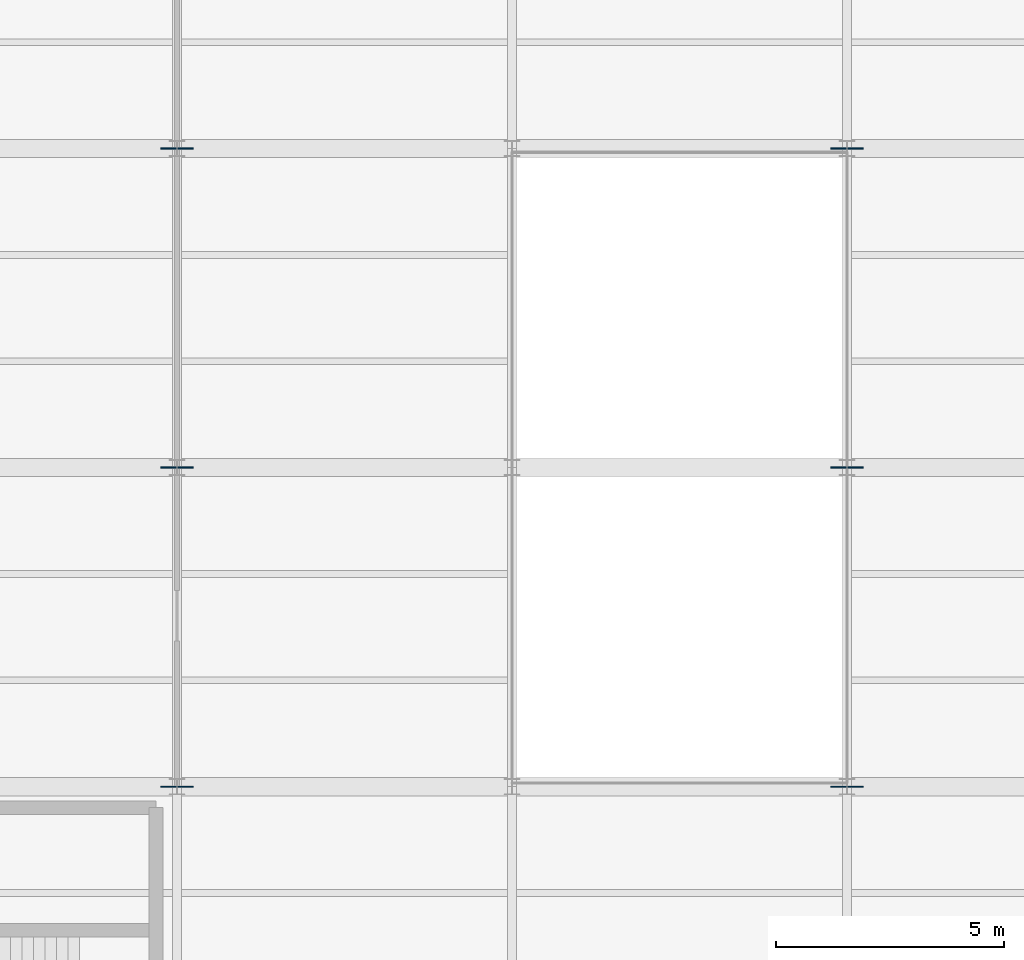
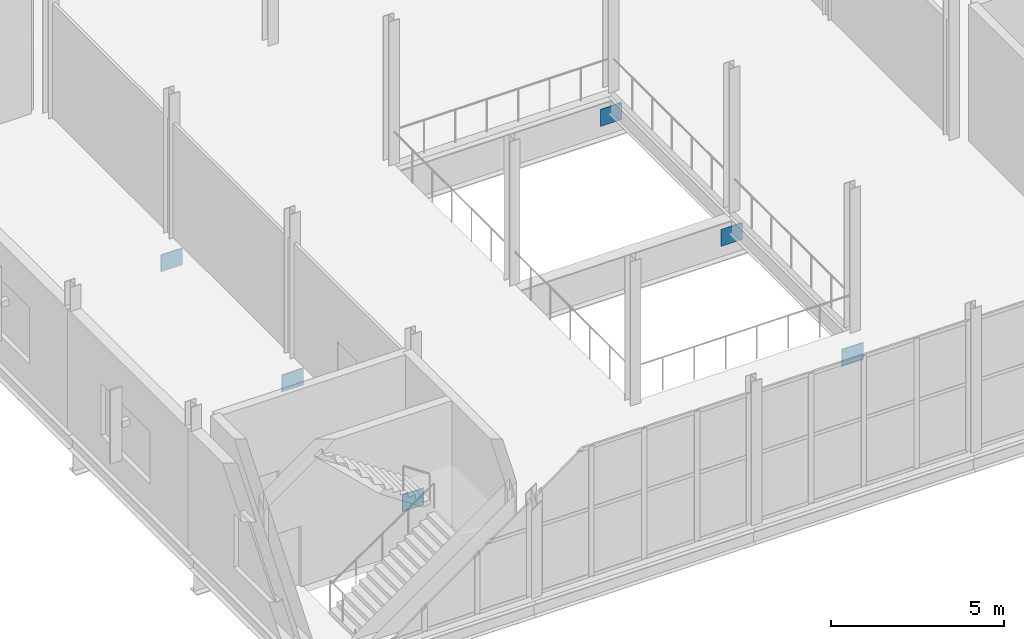
# One storey, part 194 of 218: 6 plates.
"""IFC4 building model written with IfcOpenShell, lengths in metres."""

from ifc_helpers import new_model, si_unit, direction, frame, origin, origin_2d, place, context, subcontext, project, spatial, rectangle, extrude, material, layer, layer_set, type_object, element, save


model = new_model("IFC4")

# Units and contexts
model_context = context("Model", 3, precision=1e-05, world=origin(), true_north=direction((0.0, 1.0)))
body_context = subcontext(model_context, "Body", "Model", "MODEL_VIEW")
ifc_project = project(units=[si_unit("LENGTHUNIT", "METRE"), si_unit("AREAUNIT", "SQUARE_METRE"), si_unit("VOLUMEUNIT", "CUBIC_METRE"), si_unit("PLANEANGLEUNIT", "RADIAN"), si_unit("MASSUNIT", "GRAM", prefix="KILO")], contexts=[model_context])

# Site, building, storey
site_placement = place(None, origin())
site = spatial("IfcSite", under=ifc_project, at=site_placement, CompositionType="ELEMENT")
building_placement = place(site_placement, origin())
building = spatial("IfcBuilding", under=site, at=building_placement, Name="Kazenagashi Tramway Depot", CompositionType="ELEMENT")
storey_placement = place(building_placement, frame((0.0, 0.0, 6.0)))
storey = spatial("IfcBuildingStorey", under=building, at=storey_placement, Name="L02", CompositionType="ELEMENT", Elevation=6.0)

# Plates
ifc_material = material(Name="Steel SN490B", Category="steel")
ifc_layer = layer(ifc_material, 0.028)
ifc_layer_set = layer_set([ifc_layer], Name="Steel SN490B")
plate_type = type_object("IfcPlateType", Name="GP-06", PredefinedType="USERDEFINED", material=ifc_layer_set)
for number, where, z_axis, x_axis, name in (
    (1, (7.35, 7.0, -1.2), (0.0, 0.0, 1.0), (1.0, 0.0, 0.0), "Structural Node Plate GP-06 PLT-0106"),
    (2, (22.05, 7.0, -1.2), (0.0, 0.0, 1.0), (1.0, 0.0, 0.0), "Structural Node Plate GP-06 PLT-0107"),
    (3, (7.35, 14.0, -1.2), (0.0, 0.0, 1.0), (1.0, 0.0, 0.0), "Structural Node Plate GP-06 PLT-0108"),
    (4, (22.05, 14.0, -1.2), (0.0, 0.0, 1.0), (1.0, 0.0, 0.0), "Structural Node Plate GP-06 PLT-0109"),
    (5, (7.35, 21.0, -1.2), (0.0, 0.0, 1.0), (1.0, 0.0, 0.0), "Structural Node Plate GP-06 PLT-0110"),
    (6, (22.05, 21.0, -1.2), (0.0, 0.0, 1.0), (1.0, 0.0, 0.0), "Structural Node Plate GP-06 PLT-0111"),
):
    element("IfcPlate", number, at=place(storey_placement, frame(where, z_axis=z_axis, x_axis=x_axis)), inside=storey, type_object=plate_type, Name=name, ObjectType="GUSSET PLATE", PredefinedType="USERDEFINED", context=body_context, shape_type="SweptSolid", body=[
        extrude(rectangle(XDim=0.72, YDim=0.028, at=origin_2d()), origin(), (0.0, 0.0, 1.0), 0.6),
    ])

save(model, "model.ifc")
